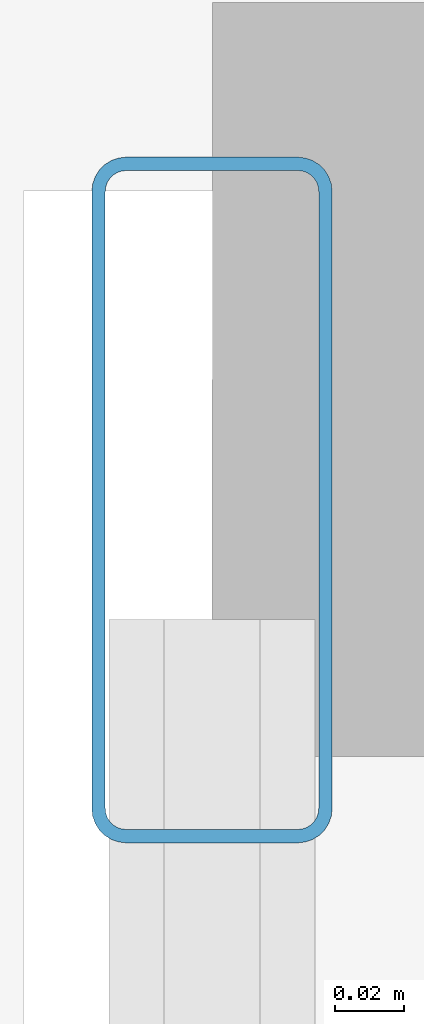
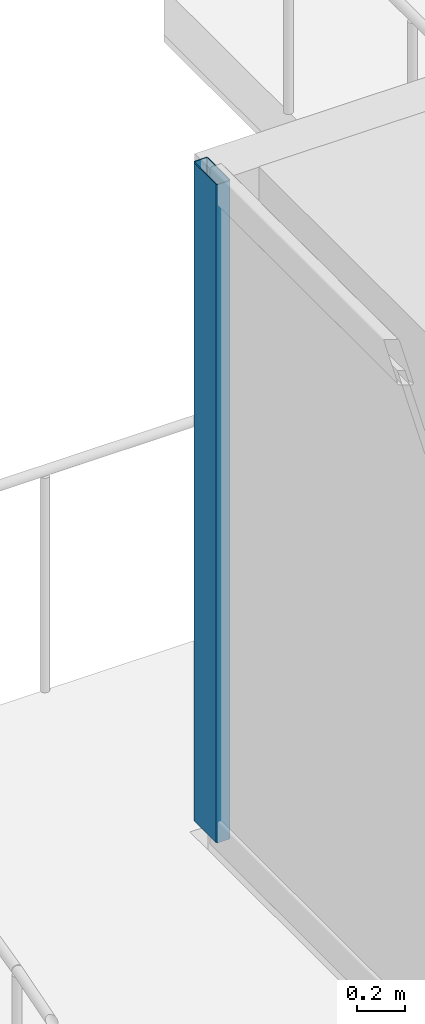
# One storey, part 18 of 40: 1 member, 1 element without a shape of its own.
"""IFC4 building model written with IfcOpenShell, lengths in metres."""

import ifcopenshell
import ifcopenshell.guid

model = None  # the IFC model being written
_history = None  # IfcOwnerHistory: only IFC2X3 demands one
_inside = {}  # id of a spatial element -> (the spatial element, [elements in it])
_under = {}  # id of a project, library or spatial element -> (it, [spatial elements below it])
_declared = {}  # id of a project -> (the project, [libraries it declares])
_typed = {}  # id of a type object -> (the type object, [elements of that type])
_made_of = {}  # id of a material, layer set ... -> (it, [elements and type objects made of it])


def new_model(schema):
    """Start an empty IFC model of exactly this schema.

    Asked for "IFC4X3", IfcOpenShell would pick the latest addendum, in which some entities
    have other attributes; the version numbers below select the first issue.
    IFC2X3 requires an IfcOwnerHistory on every rooted entity: one is made here for all.
    """
    global model, _history
    if schema == "IFC4X3":
        model = ifcopenshell.file(schema_version=(4, 3, 0, 0))
    else:
        model = ifcopenshell.file(schema=schema)
    _inside.clear()
    _under.clear()
    _declared.clear()
    _typed.clear()
    _made_of.clear()
    _history = None
    if model.schema == "IFC2X3":
        org = make("IfcOrganization", Name="unknown")
        user = make(
            "IfcPersonAndOrganization",
            ThePerson=make("IfcPerson", FamilyName="unknown"),
            TheOrganization=org,
        )
        app = make(
            "IfcApplication",
            ApplicationDeveloper=org,
            Version="unknown",
            ApplicationFullName="unknown",
            ApplicationIdentifier="unknown",
        )
        _history = make(
            "IfcOwnerHistory",
            OwningUser=user,
            OwningApplication=app,
            ChangeAction="ADDED",
            CreationDate=0,
        )
    return model


def make(cls, **values):
    """One entity of the class cls with the attributes given. An attribute that is None is left unset."""
    return model.create_entity(
        cls, **{name: value for name, value in values.items() if value is not None}
    )


def rooted(cls, **values):
    """An entity with a GlobalId (a new one), such as an element, a storey or a relation."""
    return make(cls, GlobalId=ifcopenshell.guid.new(), OwnerHistory=_history, **values)


def si_unit(unit_type, name, prefix=None):
    """IfcSIUnit, for example si_unit("LENGTHUNIT", "METRE", prefix="MILLI")."""
    return make("IfcSIUnit", UnitType=unit_type, Prefix=prefix, Name=name)


def assignment(units):
    """IfcUnitAssignment: the units of a project."""
    return None if units is None else make("IfcUnitAssignment", Units=units)


def point(xyz):
    """IfcCartesianPoint."""
    return None if xyz is None else make("IfcCartesianPoint", Coordinates=xyz)


def direction(xyz):
    """IfcDirection."""
    return None if xyz is None else make("IfcDirection", DirectionRatios=xyz)


def frame(location, z_axis=None, x_axis=None):
    """IfcAxis2Placement3D, a coordinate frame: its origin and axes. An axis left out is left unset."""
    return make(
        "IfcAxis2Placement3D",
        Location=point(location),
        Axis=direction(z_axis),
        RefDirection=direction(x_axis),
    )


def frame_2d(location, x_axis=None):
    """IfcAxis2Placement2D, a coordinate frame in the plane: its origin and x axis."""
    return make(
        "IfcAxis2Placement2D", Location=point(location), RefDirection=direction(x_axis)
    )


def origin():
    """The frame at (0, 0, 0) with its axes left unset."""
    return frame((0.0, 0.0, 0.0))


def origin_2d():
    """The frame at (0, 0) in the plane with its x axis left unset."""
    return frame_2d((0.0, 0.0))


def place(relative_to, where):
    """IfcLocalPlacement: puts the frame where relative to a parent placement (None: the world)."""
    return make(
        "IfcLocalPlacement", PlacementRelTo=relative_to, RelativePlacement=where
    )


def context(
    kind, dimensions, precision=None, world=None, true_north=None, identifier=None
):
    """IfcGeometricRepresentationContext, for example the 3D "Model" context."""
    return make(
        "IfcGeometricRepresentationContext",
        ContextIdentifier=identifier,
        ContextType=kind,
        CoordinateSpaceDimension=dimensions,
        Precision=precision,
        WorldCoordinateSystem=world,
        TrueNorth=true_north,
    )


def subcontext(parent, identifier, kind, view, scale=None):
    """IfcGeometricRepresentationSubContext, for example "Body" below "Model"."""
    return make(
        "IfcGeometricRepresentationSubContext",
        ContextIdentifier=identifier,
        ContextType=kind,
        ParentContext=parent,
        TargetScale=scale,
        TargetView=view,
    )


def project(units=None, contexts=None):
    """IfcProject with its units and contexts."""
    return rooted(
        "IfcProject",
        Name="project",
        RepresentationContexts=contexts,
        UnitsInContext=assignment(units),
    )


def spatial(cls, under=None, at=None, **own):
    """A site, building, storey or space (cls), placed at a placement, below another one or the project."""
    s = rooted(cls, ObjectPlacement=at, **own)
    if under is not None:
        _under.setdefault(under.id(), (under, []))[1].append(s)
    return s


def profile(cls, at=None, kind="AREA", **sizes):
    """A parametric profile (cls). Its sizes go by their IFC names, for example OverallWidth=200.0."""
    return make(cls, ProfileType=kind, Position=at, **sizes)


def hollow_rectangle(**sizes):
    """IfcRectangleHollowProfileDef."""
    return profile("IfcRectangleHollowProfileDef", **sizes)


def extrude(swept, where, along, depth):
    """IfcExtrudedAreaSolid: the profile swept, set in the frame where, extruded along a direction by depth."""
    return make(
        "IfcExtrudedAreaSolid",
        SweptArea=swept,
        Position=where,
        ExtrudedDirection=direction(along),
        Depth=depth,
    )


def shape(context_of_items, identifier, shape_type, items):
    """IfcShapeRepresentation: the items that make up one representation, for example the "Body"."""
    return make(
        "IfcShapeRepresentation",
        ContextOfItems=context_of_items,
        RepresentationIdentifier=identifier,
        RepresentationType=shape_type,
        Items=items,
    )


def source(mapping_origin, context_of_items, identifier, shape_type, items):
    """IfcRepresentationMap: a shape defined once, which mapped items show again and again."""
    return make(
        "IfcRepresentationMap",
        MappingOrigin=mapping_origin,
        MappedRepresentation=shape(context_of_items, identifier, shape_type, items),
    )


def transform(
    local_origin,
    x_axis=None,
    y_axis=None,
    z_axis=None,
    scale=None,
    scale2=None,
    scale3=None,
    uniform=True,
):
    """IfcCartesianTransformationOperator3D, or its non-uniform kind. x_axis, y_axis, z_axis: its Axis1, 2, 3."""
    if uniform:
        return make(
            "IfcCartesianTransformationOperator3D",
            Axis1=direction(x_axis),
            Axis2=direction(y_axis),
            LocalOrigin=point(local_origin),
            Scale=scale,
            Axis3=direction(z_axis),
        )
    return make(
        "IfcCartesianTransformationOperator3DnonUniform",
        Axis1=direction(x_axis),
        Axis2=direction(y_axis),
        LocalOrigin=point(local_origin),
        Scale=scale,
        Axis3=direction(z_axis),
        Scale2=scale2,
        Scale3=scale3,
    )


def mapped(mapping_source, mapping_target):
    """IfcMappedItem: shows the shape of a source again, moved by a transform."""
    return make(
        "IfcMappedItem", MappingSource=mapping_source, MappingTarget=mapping_target
    )


def material(Name=None, Category=None):
    """IfcMaterial."""
    return make("IfcMaterial", Name=Name, Category=Category)


def layer(
    of_material, thickness, ventilated=None, Name=None, Category=None, Priority=None
):
    """IfcMaterialLayer: one layer of a wall or slab, of a material (None: an air gap)."""
    return make(
        "IfcMaterialLayer",
        Material=of_material,
        LayerThickness=thickness,
        IsVentilated=ventilated,
        Name=Name,
        Category=Category,
        Priority=Priority,
    )


def layer_set(layers, Name=None):
    """IfcMaterialLayerSet."""
    return make("IfcMaterialLayerSet", MaterialLayers=layers, LayerSetName=Name)


def material_profile(
    of_material, cross_section, Name=None, Category=None, Priority=None
):
    """IfcMaterialProfile: a cross section and its material."""
    return make(
        "IfcMaterialProfile",
        Name=Name,
        Material=of_material,
        Profile=cross_section,
        Priority=Priority,
        Category=Category,
    )


def profile_set(profiles, Name=None, composite=None):
    """IfcMaterialProfileSet."""
    return make(
        "IfcMaterialProfileSet",
        Name=Name,
        MaterialProfiles=profiles,
        CompositeProfile=composite,
    )


def made_of(thing, what):
    """Note that an element or type object is made of a material, layer set ...; save() writes the relation."""
    if what is not None:
        _made_of.setdefault(what.id(), (what, []))[1].append(thing)
    return thing


def type_object(cls, material=None, **own):
    """A type object (cls), such as IfcWallType, which elements share."""
    return made_of(rooted(cls, **own), material)


def element(
    cls,
    number,
    at=None,
    inside=None,
    cuts=None,
    type_object=None,
    material=None,
    context=None,
    identifier="Body",
    shape_type=None,
    held_by="IfcProductDefinitionShape",
    body=None,
    shapes=None,
    **own,
):
    """One element of the class cls, such as IfcWall. Its Tag is "e" and its number.

    at: its placement. inside: the storey or other place that contains it. cuts: it is an
    opening in that element (IfcRelVoidsElement). A single representation is given by context,
    identifier, shape_type and body (its items); several are given by shapes. held_by: the class
    of the entity that holds the representations. save() writes the other relations.
    """
    e = rooted(cls, Tag="e%d" % number, ObjectPlacement=at, **own)
    if body is not None:
        shapes = [shape(context, identifier, shape_type, body)]
    if shapes is not None:
        e.Representation = make(held_by, Representations=shapes)
    if inside is not None:
        _inside.setdefault(inside.id(), (inside, []))[1].append(e)
    if cuts is not None:
        rooted(
            "IfcRelVoidsElement", RelatingBuildingElement=cuts, RelatedOpeningElement=e
        )
    if type_object is not None:
        _typed.setdefault(type_object.id(), (type_object, []))[1].append(e)
    return made_of(e, material)


def aggregate(whole, parts):
    """IfcRelAggregates: a whole, such as a stair, and the parts it consists of."""
    return rooted("IfcRelAggregates", RelatingObject=whole, RelatedObjects=parts)


def save(model, path):
    """Write the relations noted so far, then the file.

    IfcRelAggregates (storeys below a building ...), IfcRelContainedInSpatialStructure (elements
    in a storey), IfcRelDefinesByType, IfcRelAssociatesMaterial and IfcRelDeclares: one each for
    every whole, place, type object, material and project.
    """
    for whole, parts in _under.values():
        aggregate(whole, parts)
    for where, things in _inside.values():
        rooted(
            "IfcRelContainedInSpatialStructure",
            RelatedElements=things,
            RelatingStructure=where,
        )
    for kind, things in _typed.values():
        rooted("IfcRelDefinesByType", RelatedObjects=things, RelatingType=kind)
    for what, things in _made_of.values():
        rooted("IfcRelAssociatesMaterial", RelatedObjects=things, RelatingMaterial=what)
    for by, libraries in _declared.values():
        rooted("IfcRelDeclares", RelatingContext=by, RelatedDefinitions=libraries)
    model.write(path)


model = new_model("IFC4")

# Units and contexts
model_context = context("Model", 3, precision=1e-05, world=origin(), true_north=direction((0.0, 1.0)))
body_context = subcontext(model_context, "Body", "Model", "MODEL_VIEW")
ifc_project = project(units=[si_unit("LENGTHUNIT", "METRE"), si_unit("AREAUNIT", "SQUARE_METRE"), si_unit("VOLUMEUNIT", "CUBIC_METRE"), si_unit("PLANEANGLEUNIT", "RADIAN"), si_unit("MASSUNIT", "GRAM", prefix="KILO")], contexts=[model_context])

# Site, building, storey
site_placement = place(None, origin())
site = spatial("IfcSite", under=ifc_project, at=site_placement, CompositionType="ELEMENT")
building_placement = place(site_placement, origin())
building = spatial("IfcBuilding", under=site, at=building_placement, Name="Serunith Strait Residences", CompositionType="ELEMENT")
storey_placement = place(building_placement, frame((0.0, 0.0, 105.449951171875)))
storey = spatial("IfcBuildingStorey", under=building, at=storey_placement, Name="L26", CompositionType="ELEMENT", Elevation=105.449951171875)

# Curtain wall, member
ifc_material = material(Name="Pale-Champagne Anodised Aluminium", Category="aluminium")
ifc_layer = layer(ifc_material, 0.199951171875, Name="Pale-Champagne Anodised Aluminium")
ifc_layer_set = layer_set([ifc_layer], Name="Pale-Champagne Anodised Aluminium")
curtain_wall_type = type_object("IfcCurtainWallType", Name="CW-SYS1", PredefinedType="NOTDEFINED", material=ifc_layer_set)
curtain_wall_placement = place(storey_placement, origin())
curtain_wall = element("IfcCurtainWall", 1, at=curtain_wall_placement, inside=storey, type_object=curtain_wall_type, Name="L26 W Unitised Fritted Curtain Wall", PredefinedType="NOTDEFINED")
ifc_material_profile = material_profile(ifc_material, hollow_rectangle(XDim=0.070068359375, YDim=0.199951171875, WallThickness=0.00390625, InnerFilletRadius=0.006103515625, OuterFilletRadius=0.010009765625, at=origin_2d()), Name="ALU 200x70x4")
ifc_profile_set = profile_set([ifc_material_profile], Name="Pale-Champagne Anodised Aluminium")
member_type = type_object("IfcMemberType", Name="CW-SYS1-MULL", PredefinedType="MULLION", material=ifc_profile_set)
shared_shape = source(origin(), body_context, "Body", "SweptSolid", [
    extrude(hollow_rectangle(XDim=0.070068359375, YDim=0.199951171875, WallThickness=0.00390625, InnerFilletRadius=0.006103515625, OuterFilletRadius=0.010009765625, at=origin_2d()), origin(), (0.0, 0.0, 1.0), 3.375),
])
member_placement = place(storey_placement, frame((6.0, 41.764892578125, 0.0), z_axis=(0.0, 0.0, 1.0), x_axis=(1.0, 0.0, 0.0)))
member = element("IfcMember", 2, at=member_placement, type_object=member_type, Name="CW-1 mullion 1", PredefinedType="MULLION", context=body_context, shape_type="MappedRepresentation", body=[
    mapped(shared_shape, transform((0.0, 0.0, 0.0), scale=1.0)),
])
aggregate(curtain_wall, [member])

save(model, "model.ifc")
